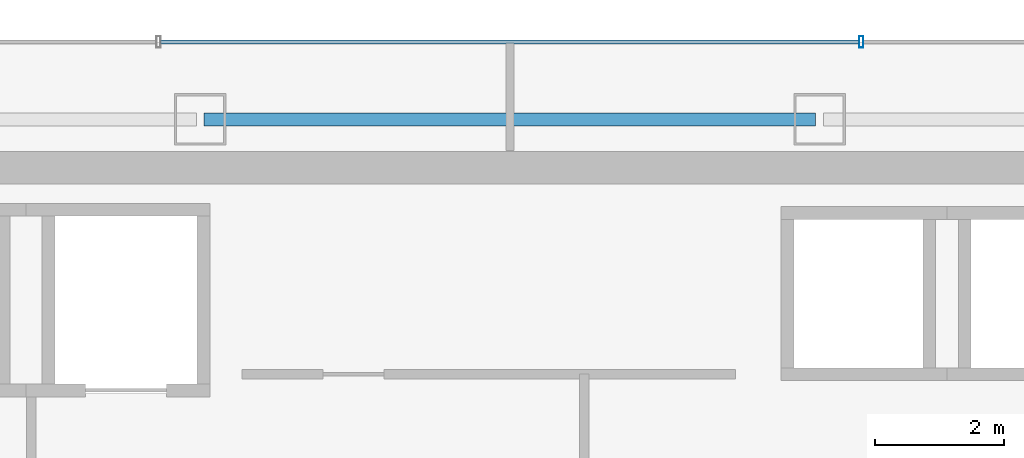
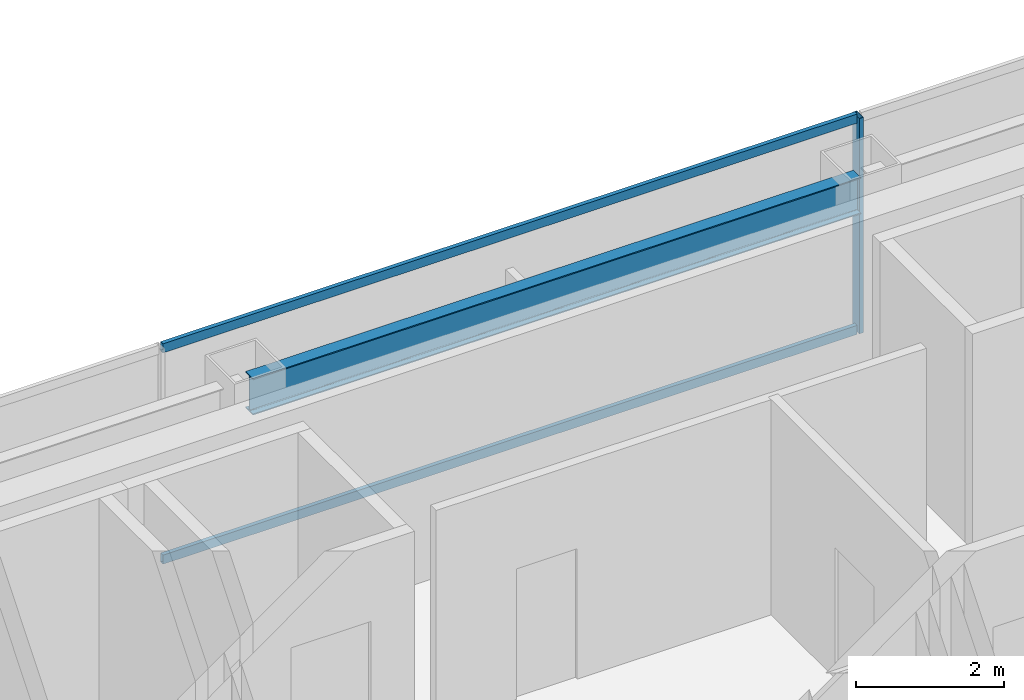
# One storey, part 25 of 36: 3 members, 1 beam, 1 element without a shape of its own.
"""IFC4 building model written with IfcOpenShell, lengths in metres."""

from ifc_helpers import new_model, si_unit, direction, frame, origin, origin_2d, place, context, subcontext, project, spatial, hollow_rectangle, i_section, extrude, material, material_profile, profile_set, type_object, element, aggregate, save


model = new_model("IFC4")

# Units and contexts
model_context = context("Model", 3, precision=1e-05, world=origin(), true_north=direction((0.0, 1.0)))
body_context = subcontext(model_context, "Body", "Model", "MODEL_VIEW")
ifc_project = project(units=[si_unit("LENGTHUNIT", "METRE"), si_unit("AREAUNIT", "SQUARE_METRE"), si_unit("VOLUMEUNIT", "CUBIC_METRE"), si_unit("PLANEANGLEUNIT", "RADIAN"), si_unit("MASSUNIT", "GRAM", prefix="KILO")], contexts=[model_context])

# Site, building, storey
site_placement = place(None, origin())
site = spatial("IfcSite", under=ifc_project, at=site_placement, CompositionType="ELEMENT")
building_placement = place(site_placement, origin())
building = spatial("IfcBuilding", under=site, at=building_placement, Name="Saevonmaru Cultural Tower", CompositionType="ELEMENT")
storey_placement = place(building_placement, frame((0.0, 0.0, 201.800048828125)))
storey = spatial("IfcBuildingStorey", under=building, at=storey_placement, Name="L46", CompositionType="ELEMENT", Elevation=201.800048828125)

# Beam
ifc_material_1 = material(Name="Steel SM355", Category="steel")
ifc_material_profile_1 = material_profile(ifc_material_1, i_section(OverallWidth=0.199951171875, OverallDepth=0.60009765625, WebThickness=0.010986328125, FlangeThickness=0.01708984375, FilletRadius=0.02197265625, at=origin_2d()), Name="H-600x200x11x17")
ifc_profile_set_1 = profile_set([ifc_material_profile_1], Name="Steel SM355")
beam_type = type_object("IfcBeamType", Name="BM-SP-H600", PredefinedType="SPANDREL", material=ifc_profile_set_1)
beam_placement = place(storey_placement, frame((25.260009765625, 54.800048828125, 3.25), z_axis=(1.0, 0.0, 0.0), x_axis=(0.0, 1.0, 0.0)))
element("IfcBeam", 1, at=beam_placement, inside=storey, type_object=beam_type, Name="L46 North Spine Girder 3", PredefinedType="SPANDREL", context=body_context, shape_type="SweptSolid", body=[
    extrude(i_section(OverallWidth=0.199951171875, OverallDepth=0.60009765625, WebThickness=0.010986328125, FlangeThickness=0.01708984375, FilletRadius=0.02197265625, at=origin_2d()), origin(), (0.0, 0.0, 1.0), 9.47998046875),
])

# Curtain wall, members
ifc_material_2 = material(Name="Satin Bronze Anodised Aluminium", Category="aluminium")
curtain_wall_type = type_object("IfcCurtainWallType", Name="CW-TYP-B", PredefinedType="NOTDEFINED", material=ifc_material_2)
curtain_wall_placement = place(storey_placement, origin())
curtain_wall = element("IfcCurtainWall", 2, at=curtain_wall_placement, inside=storey, type_object=curtain_wall_type, Name="L46 North Spine Unitised Curtain Wall E10B", PredefinedType="NOTDEFINED")
ifc_material_profile_2 = material_profile(ifc_material_2, hollow_rectangle(XDim=0.06494140625, YDim=0.179931640625, WallThickness=0.00390625, at=origin_2d()), Name="ALU-MULL-180x65x4")
ifc_profile_set_2 = profile_set([ifc_material_profile_2], Name="Satin Bronze Anodised Aluminium")
member_type_1 = type_object("IfcMemberType", Name="ML-CW-180x65", PredefinedType="MULLION", material=ifc_profile_set_2)
member_1_placement = place(storey_placement, frame((35.44677734375, 56.0, 0.0), z_axis=(0.0, 0.0, 1.0), x_axis=(-1.0, 0.0, 0.0)))
member_1 = element("IfcMember", 3, at=member_1_placement, type_object=member_type_1, Name="CW-TW-L46-E10B mullion 2", PredefinedType="MULLION", context=body_context, shape_type="SweptSolid", body=[
    extrude(hollow_rectangle(XDim=0.06494140625, YDim=0.179931640625, WallThickness=0.00390625, at=origin_2d()), origin(), (0.0, 0.0, 1.0), 3.550048828125),
])
ifc_material_profile_3 = material_profile(ifc_material_2, hollow_rectangle(XDim=0.06494140625, YDim=0.14990234375, WallThickness=0.00390625, at=origin_2d()), Name="ALU-TRAN-150x65x4")
ifc_profile_set_3 = profile_set([ifc_material_profile_3], Name="Satin Bronze Anodised Aluminium")
member_type_2 = type_object("IfcMemberType", Name="TR-CW-150x65", PredefinedType="USERDEFINED", material=ifc_profile_set_3)
member_2_placement = place(storey_placement, frame((35.4140625, 56.0, 0.032470703125), z_axis=(-1.0, 0.0, 0.0), x_axis=(0.0, -1.0, 0.0)))
member_2 = element("IfcMember", 4, at=member_2_placement, type_object=member_type_2, Name="CW-TW-L46-E10B transom 2.1", ObjectType="TRANSOM", PredefinedType="USERDEFINED", context=body_context, shape_type="SweptSolid", body=[
    extrude(hollow_rectangle(XDim=0.06494140625, YDim=0.14990234375, WallThickness=0.00390625, at=origin_2d()), origin(), (0.0, 0.0, 1.0), 10.828125),
])
member_3_placement = place(storey_placement, frame((35.4140625, 56.0, 3.517333984375), z_axis=(-1.0, 0.0, 0.0), x_axis=(0.0, -1.0, 0.0)))
member_3 = element("IfcMember", 5, at=member_3_placement, type_object=member_type_2, Name="CW-TW-L46-E10B transom 2.2", ObjectType="TRANSOM", PredefinedType="USERDEFINED", context=body_context, shape_type="SweptSolid", body=[
    extrude(hollow_rectangle(XDim=0.06494140625, YDim=0.14990234375, WallThickness=0.00390625, at=origin_2d()), origin(), (0.0, 0.0, 1.0), 10.828125),
])
aggregate(curtain_wall, [member_1, member_2, member_3])

save(model, "model.ifc")
